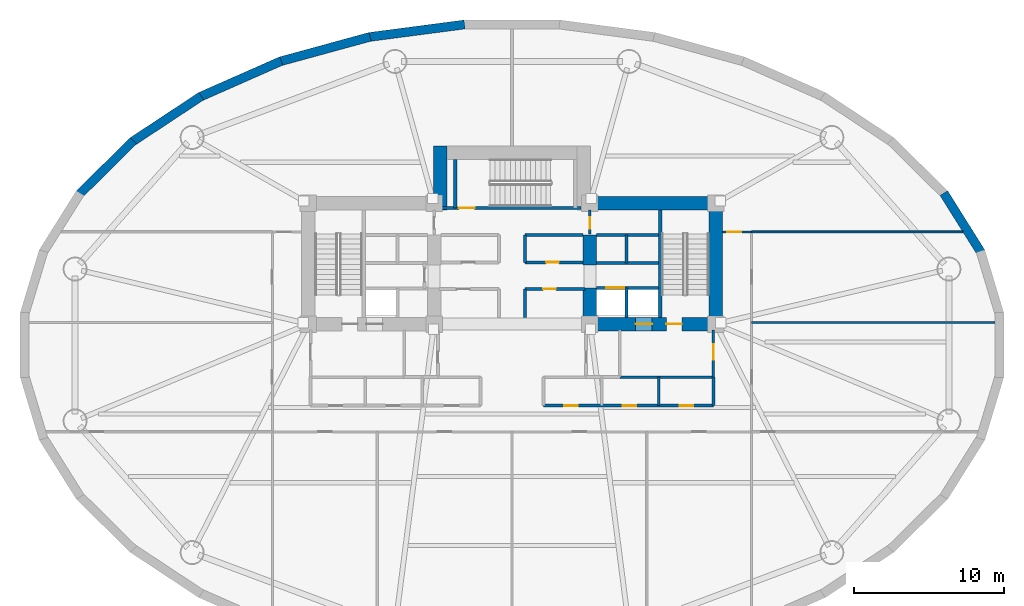
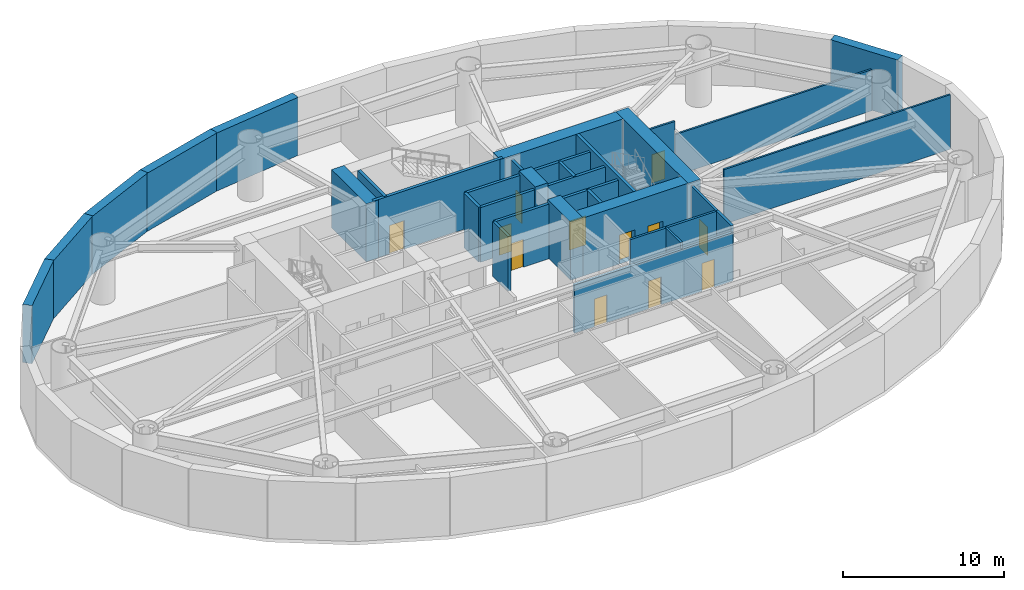
# One storey, part 4 of 6: 34 walls, 12 doors, 12 openings.
"""IFC4 building model written with IfcOpenShell, lengths in metres."""

from ifc_helpers import new_model, si_unit, direction, frame, frame_2d, origin, place, context, subcontext, project, spatial, rectangle, extrude, material, layer, layer_set, type_object, element, fill, save


model = new_model("IFC4")

# Units and contexts
model_context = context("Model", 3, precision=1e-05, world=origin(), true_north=direction((0.0, 1.0)))
body_context = subcontext(model_context, "Body", "Model", "MODEL_VIEW")
ifc_project = project(units=[si_unit("LENGTHUNIT", "METRE"), si_unit("AREAUNIT", "SQUARE_METRE"), si_unit("VOLUMEUNIT", "CUBIC_METRE"), si_unit("PLANEANGLEUNIT", "RADIAN"), si_unit("MASSUNIT", "GRAM", prefix="KILO")], contexts=[model_context])

# Site, building, storey
site_placement = place(None, origin())
site = spatial("IfcSite", under=ifc_project, at=site_placement, CompositionType="ELEMENT")
building_placement = place(site_placement, origin())
building = spatial("IfcBuilding", under=site, at=building_placement, Name="Keldmark Tower", CompositionType="ELEMENT")
storey_placement = place(building_placement, frame((0.0, 0.0, -4.39990234375)))
storey = spatial("IfcBuildingStorey", under=building, at=storey_placement, Name="B01", CompositionType="ELEMENT", Elevation=-4.39990234375)

# Wall, opening, door
ifc_material_1 = material(Name="Acoustic Double-Layer Gypsum Corridor Partition", Category="gypsum")
ifc_layer_1 = layer(ifc_material_1, 0.139892578125)
ifc_layer_set_1 = layer_set([ifc_layer_1], Name="Acoustic Double-Layer Gypsum Corridor Partition")
wall_type_1 = type_object("IfcWallType", Name="Acoustic Corridor Partition 140 mm", PredefinedType="PARTITIONING", material=ifc_layer_set_1)
wall_1_placement = place(storey_placement, frame((14.050048828125, 7.550048828125, 0.0), z_axis=(0.0, 0.0, 1.0), x_axis=(1.0, 0.0, 0.0)))
wall_1 = element("IfcWall", 1, at=wall_1_placement, inside=storey, type_object=wall_type_1, Name="B01 Acoustic Corridor Partition 140 mm COR-EN-CAP", PredefinedType="PARTITIONING", context=body_context, shape_type="SweptSolid", body=[
    extrude(rectangle(XDim=1.949951171875, YDim=0.139892578125, at=frame_2d((0.97509765625, 0.0))), origin(), (0.0, 0.0, 1.0), 4.139892578125),
])
opening_1_placement = place(wall_1_placement, frame((0.320068359375, 0.0, 0.0)))
opening_1 = element("IfcOpeningElement", 2, at=opening_1_placement, cuts=wall_1, Name="Opening D-EX092", PredefinedType="OPENING", context=body_context, shape_type="SweptSolid", body=[
    extrude(rectangle(XDim=0.919921875, YDim=2.14990234375, at=frame_2d((0.4599609375, 1.074951171875))), frame((0.0, 0.079833984375, 0.0), z_axis=(0.0, -1.0, 0.0), x_axis=(1.0, 0.0, 0.0)), (0.0, 0.0, 1.0), 0.159912109375),
])
ifc_material_2 = material(Name="Flush American Ash Executive Office Door", Category="wood")
door_type_1 = type_object("IfcDoorType", Name="Executive Office Door 920x2150", OperationType="NOTDEFINED", PredefinedType="DOOR", material=ifc_material_2)
door_1_placement = place(opening_1_placement, origin())
door_1 = element("IfcDoor", 3, at=door_1_placement, inside=storey, type_object=door_type_1, Name="B01 Executive Office Door 920x2150 D-NRNE-B01", OperationType="SINGLE_SWING_RIGHT", OverallHeight=2.14990234375, OverallWidth=0.919921875, PredefinedType="DOOR", context=body_context, shape_type="SweptSolid", body=[
    extrude(rectangle(XDim=0.919921875, YDim=2.14990234375, at=frame_2d((0.4599609375, 1.074951171875))), frame((0.0, 0.02490234375, 0.0), z_axis=(0.0, -1.0, 0.0), x_axis=(1.0, 0.0, 0.0)), (0.0, 0.0, 1.0), 0.050048828125),
])
fill(opening_1, door_1)

# Walls
ifc_material_3 = material(Name="Concrete C50/60", Category="concrete")
ifc_layer_2 = layer(ifc_material_3, 0.60009765625)
ifc_layer_set_2 = layer_set([ifc_layer_2], Name="Concrete C50/60")
wall_type_2 = type_object("IfcWallType", Name="Basement Retaining Wall 600 mm", PredefinedType="USERDEFINED", material=ifc_layer_set_2)
wall_2_placement = place(storey_placement, frame((31.3408203125, 6.143310546875, 0.0), z_axis=(0.0, 0.0, 1.0), x_axis=(-0.531244363113, 0.847218641592, 0.0)))
element("IfcWall", 4, at=wall_2_placement, inside=storey, type_object=wall_type_2, Name="B01 Perimeter Retaining Wall 02", ObjectType="RETAINING WALL", PredefinedType="USERDEFINED", context=body_context, shape_type="SweptSolid", body=[
    extrude(rectangle(XDim=4.72021484375, YDim=0.60009765625, at=frame_2d((2.360107421875, 0.0))), origin(), (0.0, 0.0, 1.0), 4.39990234375),
])
wall_3_placement = place(storey_placement, frame((-3.165771484375, 21.401611328125, 0.0), z_axis=(0.0, 0.0, 1.0), x_axis=(-0.991471782517, -0.130321542624, 0.0)))
element("IfcWall", 5, at=wall_3_placement, inside=storey, type_object=wall_type_2, Name="B01 Perimeter Retaining Wall 09", ObjectType="RETAINING WALL", PredefinedType="USERDEFINED", context=body_context, shape_type="SweptSolid", body=[
    extrude(rectangle(XDim=6.45947265625, YDim=0.60009765625, at=frame_2d((3.229736328125, 0.0))), origin(), (0.0, 0.0, 1.0), 4.39990234375),
])
wall_4_placement = place(storey_placement, frame((-9.47119140625, 20.579833984375, 0.0), z_axis=(0.0, 0.0, 1.0), x_axis=(-0.964548276597, -0.263906464707, 0.0)))
element("IfcWall", 6, at=wall_4_placement, inside=storey, type_object=wall_type_2, Name="B01 Perimeter Retaining Wall 10", ObjectType="RETAINING WALL", PredefinedType="USERDEFINED", context=body_context, shape_type="SweptSolid", body=[
    extrude(rectangle(XDim=6.256591796875, YDim=0.60009765625, at=frame_2d((3.12841796875, 0.0))), origin(), (0.0, 0.0, 1.0), 4.39990234375),
])
wall_5_placement = place(storey_placement, frame((-15.407470703125, 18.963623046875, 0.0), z_axis=(0.0, 0.0, 1.0), x_axis=(-0.91483072277, -0.403837527574, 0.0)))
element("IfcWall", 7, at=wall_5_placement, inside=storey, type_object=wall_type_2, Name="B01 Perimeter Retaining Wall 11", ObjectType="RETAINING WALL", PredefinedType="USERDEFINED", context=body_context, shape_type="SweptSolid", body=[
    extrude(rectangle(XDim=5.939697265625, YDim=0.60009765625, at=frame_2d((2.9697265625, 0.0))), origin(), (0.0, 0.0, 1.0), 4.39990234375),
])
wall_6_placement = place(storey_placement, frame((-20.74462890625, 16.617919921875, 0.0), z_axis=(0.0, 0.0, 1.0), x_axis=(-0.834367518908, -0.551208529861, 0.0)))
element("IfcWall", 8, at=wall_6_placement, inside=storey, type_object=wall_type_2, Name="B01 Perimeter Retaining Wall 12", ObjectType="RETAINING WALL", PredefinedType="USERDEFINED", context=body_context, shape_type="SweptSolid", body=[
    extrude(rectangle(XDim=5.542236328125, YDim=0.60009765625, at=frame_2d((2.77099609375, 0.0))), origin(), (0.0, 0.0, 1.0), 4.39990234375),
])
wall_7_placement = place(storey_placement, frame((-25.277099609375, 13.6376953125, 0.0), z_axis=(0.0, 0.0, 1.0), x_axis=(-0.711105403666, -0.70308541791, 0.0)))
element("IfcWall", 9, at=wall_7_placement, inside=storey, type_object=wall_type_2, Name="B01 Perimeter Retaining Wall 13", ObjectType="RETAINING WALL", PredefinedType="USERDEFINED", context=body_context, shape_type="SweptSolid", body=[
    extrude(rectangle(XDim=5.1142578125, YDim=0.60009765625, at=frame_2d((2.55712890625, 0.0))), origin(), (0.0, 0.0, 1.0), 4.39990234375),
])

# Wall, openings, doors
ifc_material_4 = material(Name="Heavy Acoustic Plumbing Chase Gypsum Assembly", Category="gypsum")
ifc_layer_3 = layer(ifc_material_4, 0.18994140625)
ifc_layer_set_3 = layer_set([ifc_layer_3], Name="Heavy Acoustic Plumbing Chase Gypsum Assembly")
wall_type_3 = type_object("IfcWallType", Name="Heavy Wet Wall 190 mm", PredefinedType="PLUMBINGWALL", material=ifc_layer_set_3)
wall_8_placement = place(storey_placement, frame((2.10009765625, -4.050048828125, 0.0), z_axis=(0.0, 0.0, 1.0), x_axis=(1.0, 0.0, 0.0)))
wall_8 = element("IfcWall", 10, at=wall_8_placement, inside=storey, type_object=wall_type_3, Name="B01 Heavy Wet Wall 190 mm SPK-E-S", PredefinedType="PLUMBINGWALL", context=body_context, shape_type="SweptSolid", body=[
    extrude(rectangle(XDim=11.349853515625, YDim=0.18994140625, at=frame_2d((5.6748046875, 0.0))), origin(), (0.0, 0.0, 1.0), 3.6669921875),
])
opening_2_placement = place(wall_8_placement, frame((1.39990234375, 0.0, 0.0)))
opening_2 = element("IfcOpeningElement", 11, at=opening_2_placement, cuts=wall_8, Name="Opening D-IN090", PredefinedType="OPENING", context=body_context, shape_type="SweptSolid", body=[
    extrude(rectangle(XDim=0.89990234375, YDim=2.10009765625, at=frame_2d((0.449951171875, 1.050048828125))), frame((0.0, 0.10498046875, 0.0), z_axis=(0.0, -1.0, 0.0), x_axis=(1.0, 0.0, 0.0)), (0.0, 0.0, 1.0), 0.2099609375),
])
opening_3_placement = place(wall_8_placement, frame((5.300048828125, 0.0, 0.0)))
opening_3 = element("IfcOpeningElement", 12, at=opening_3_placement, cuts=wall_8, Name="Opening D-IN090", PredefinedType="OPENING", context=body_context, shape_type="SweptSolid", body=[
    extrude(rectangle(XDim=0.89990234375, YDim=2.10009765625, at=frame_2d((0.449951171875, 1.050048828125))), frame((0.0, 0.10498046875, 0.0), z_axis=(0.0, -1.0, 0.0), x_axis=(1.0, 0.0, 0.0)), (0.0, 0.0, 1.0), 0.2099609375),
])
opening_4_placement = place(wall_8_placement, frame((9.10009765625, 0.0, 0.0)))
opening_4 = element("IfcOpeningElement", 13, at=opening_4_placement, cuts=wall_8, Name="Opening D-IN090", PredefinedType="OPENING", context=body_context, shape_type="SweptSolid", body=[
    extrude(rectangle(XDim=0.89990234375, YDim=2.10009765625, at=frame_2d((0.449951171875, 1.050048828125))), frame((0.0, 0.10498046875, 0.0), z_axis=(0.0, -1.0, 0.0), x_axis=(1.0, 0.0, 0.0)), (0.0, 0.0, 1.0), 0.2099609375),
])
ifc_material_5 = material(Name="Stained American White Oak Veneer", Category="wood")
door_type_2 = type_object("IfcDoorType", Name="Interior Door 900x2100", OperationType="NOTDEFINED", PredefinedType="DOOR", material=ifc_material_5)
door_2_placement = place(opening_2_placement, origin())
door_2 = element("IfcDoor", 14, at=door_2_placement, inside=storey, type_object=door_type_2, Name="B01 Interior Door 900x2100 D-SPKE1-B01", OperationType="SINGLE_SWING_RIGHT", OverallHeight=2.10009765625, OverallWidth=0.89990234375, PredefinedType="DOOR", context=body_context, shape_type="SweptSolid", body=[
    extrude(rectangle(XDim=0.89990234375, YDim=2.10009765625, at=frame_2d((0.449951171875, 1.050048828125))), frame((0.0, 0.02490234375, 0.0), z_axis=(0.0, -1.0, 0.0), x_axis=(1.0, 0.0, 0.0)), (0.0, 0.0, 1.0), 0.050048828125),
])
fill(opening_2, door_2)
door_3_placement = place(opening_3_placement, origin())
door_3 = element("IfcDoor", 15, at=door_3_placement, inside=storey, type_object=door_type_2, Name="B01 Interior Door 900x2100 D-SPKE2-B01", OperationType="SINGLE_SWING_LEFT", OverallHeight=2.10009765625, OverallWidth=0.89990234375, PredefinedType="DOOR", context=body_context, shape_type="SweptSolid", body=[
    extrude(rectangle(XDim=0.89990234375, YDim=2.10009765625, at=frame_2d((0.449951171875, 1.050048828125))), frame((0.0, 0.02490234375, 0.0), z_axis=(0.0, -1.0, 0.0), x_axis=(1.0, 0.0, 0.0)), (0.0, 0.0, 1.0), 0.050048828125),
])
fill(opening_3, door_3)
door_4_placement = place(opening_4_placement, origin())
door_4 = element("IfcDoor", 16, at=door_4_placement, inside=storey, type_object=door_type_2, Name="B01 Interior Door 900x2100 D-SPKE3-B01", OperationType="SINGLE_SWING_RIGHT", OverallHeight=2.10009765625, OverallWidth=0.89990234375, PredefinedType="DOOR", context=body_context, shape_type="SweptSolid", body=[
    extrude(rectangle(XDim=0.89990234375, YDim=2.10009765625, at=frame_2d((0.449951171875, 1.050048828125))), frame((0.0, 0.02490234375, 0.0), z_axis=(0.0, -1.0, 0.0), x_axis=(1.0, 0.0, 0.0)), (0.0, 0.0, 1.0), 0.050048828125),
])
fill(opening_4, door_4)

# Walls
wall_9_placement = place(storey_placement, frame((13.449951171875, -4.050048828125, 0.0), z_axis=(0.0, 0.0, 1.0), x_axis=(0.0, 1.0, 0.0)))
element("IfcWall", 17, at=wall_9_placement, inside=storey, type_object=wall_type_3, Name="B01 Heavy Wet Wall 190 mm SPK-E-E", PredefinedType="PLUMBINGWALL", context=body_context, shape_type="SweptSolid", body=[
    extrude(rectangle(XDim=1.900146484375, YDim=0.18994140625, at=frame_2d((0.9501953125, 0.0))), origin(), (0.0, 0.0, 1.0), 4.139892578125),
])
ifc_material_6 = material(Name="Acoustic Gypsum Board Interior Partition", Category="gypsum")
ifc_layer_4 = layer(ifc_material_6, 0.1298828125)
ifc_layer_set_4 = layer_set([ifc_layer_4], Name="Acoustic Gypsum Board Interior Partition")
wall_type_4 = type_object("IfcWallType", Name="Interior Partition 130 mm", PredefinedType="PARTITIONING", material=ifc_layer_set_4)
wall_10_placement = place(storey_placement, frame((16.0, 7.550048828125, 0.0), z_axis=(0.0, 0.0, 1.0), x_axis=(1.0, 0.0, 0.0)))
element("IfcWall", 18, at=wall_10_placement, inside=storey, type_object=wall_type_4, Name="B01 Interior Partition 130 mm E-CAP-N", PredefinedType="PARTITIONING", context=body_context, shape_type="SweptSolid", body=[
    extrude(rectangle(XDim=14.09521484375, YDim=0.1298828125, at=frame_2d((7.047607421875, 0.0))), origin(), (0.0, 0.0, 1.0), 3.117919921875),
])
wall_11_placement = place(storey_placement, frame((16.0, 1.5, 0.0), z_axis=(0.0, 0.0, 1.0), x_axis=(1.0, 0.0, 0.0)))
element("IfcWall", 19, at=wall_11_placement, inside=storey, type_object=wall_type_4, Name="B01 Interior Partition 130 mm E-DIV-1", PredefinedType="PARTITIONING", context=body_context, shape_type="SweptSolid", body=[
    extrude(rectangle(XDim=16.233154296875, YDim=0.1298828125, at=frame_2d((8.11669921875, 0.0))), origin(), (0.0, 0.0, 1.0), 4.139892578125),
])
ifc_material_7 = material(Name="Concrete C70/85", Category="concrete")
ifc_layer_5 = layer(ifc_material_7, 0.89990234375)
ifc_layer_set_5 = layer_set([ifc_layer_5], Name="Concrete C70/85")
wall_type_5 = type_object("IfcWallType", Name="Lower Core Shear Wall 900 mm", PredefinedType="SHEAR", material=ifc_layer_set_5)
wall_12_placement = place(storey_placement, frame((13.60009765625, 0.949951171875, 0.0), z_axis=(0.0, 0.0, 1.0), x_axis=(0.0, 1.0, 0.0)))
element("IfcWall", 20, at=wall_12_placement, inside=storey, type_object=wall_type_5, Name="B01 East Core Outer Shear Wall", PredefinedType="SHEAR", context=body_context, shape_type="SweptSolid", body=[
    extrude(rectangle(XDim=8.949951171875, YDim=0.89990234375, at=frame_2d((4.47509765625, 0.0))), origin(), (0.0, 0.0, 1.0), 4.39990234375),
])
wall_13_placement = place(storey_placement, frame((4.35009765625, 9.449951171875, 0.0), z_axis=(0.0, 0.0, 1.0), x_axis=(1.0, 0.0, 0.0)))
element("IfcWall", 21, at=wall_13_placement, inside=storey, type_object=wall_type_5, Name="B01 East Core North Shear Wall", PredefinedType="SHEAR", context=body_context, shape_type="SweptSolid", body=[
    extrude(rectangle(XDim=9.699951171875, YDim=0.89990234375, at=frame_2d((4.85009765625, 0.0))), origin(), (0.0, 0.0, 1.0), 4.39990234375),
])

# Wall, openings, doors
wall_14_placement = place(storey_placement, frame((14.050048828125, 1.39990234375, 0.0), z_axis=(0.0, 0.0, 1.0), x_axis=(-1.0, 0.0, 0.0)))
wall_14 = element("IfcWall", 22, at=wall_14_placement, inside=storey, type_object=wall_type_5, Name="B01 East Core South Shear Wall", PredefinedType="SHEAR", context=body_context, shape_type="SweptSolid", body=[
    extrude(rectangle(XDim=9.300048828125, YDim=0.89990234375, at=frame_2d((4.64990234375, 0.0))), origin(), (0.0, 0.0, 1.0), 4.39990234375),
])
opening_5_placement = place(wall_14_placement, frame((2.699951171875, 0.0, 0.0)))
opening_5 = element("IfcOpeningElement", 23, at=opening_5_placement, cuts=wall_14, Name="Opening D-ST105", PredefinedType="OPENING", context=body_context, shape_type="SweptSolid", body=[
    extrude(rectangle(XDim=1.050048828125, YDim=2.14990234375, at=frame_2d((0.52490234375, 1.074951171875))), frame((0.0, 0.4599609375, 0.0), z_axis=(0.0, -1.0, 0.0), x_axis=(1.0, 0.0, 0.0)), (0.0, 0.0, 1.0), 0.919921875),
])
opening_6_placement = place(wall_14_placement, frame((4.699951171875, 0.0, 0.0)))
opening_6 = element("IfcOpeningElement", 24, at=opening_6_placement, cuts=wall_14, Name="Opening LD-110", PredefinedType="OPENING", context=body_context, shape_type="SweptSolid", body=[
    extrude(rectangle(XDim=1.10009765625, YDim=2.199951171875, at=frame_2d((0.550048828125, 1.10009765625))), frame((0.0, 0.4599609375, 0.0), z_axis=(0.0, -1.0, 0.0), x_axis=(1.0, 0.0, 0.0)), (0.0, 0.0, 1.0), 0.919921875),
])
ifc_material_8 = material(Name="Brushed Bronze Hoistway Sliding Leaf", Category="metal")
door_type_3 = type_object("IfcDoorType", Name="Lift Landing Sliding Door 1100x2200", OperationType="SLIDING_TO_LEFT", PredefinedType="DOOR", material=ifc_material_8)
door_5_placement = place(opening_6_placement, origin())
door_5 = element("IfcDoor", 25, at=door_5_placement, inside=storey, type_object=door_type_3, Name="B01 Lift Landing Sliding Door 1100x2200 LD-EL-FS2-B01", OperationType="SLIDING_TO_LEFT", OverallHeight=2.199951171875, OverallWidth=1.10009765625, PredefinedType="DOOR", context=body_context, shape_type="SweptSolid", body=[
    extrude(rectangle(XDim=1.10009765625, YDim=2.199951171875, at=frame_2d((0.550048828125, 1.10009765625))), frame((0.0, 0.02490234375, 0.0), z_axis=(0.0, -1.0, 0.0), x_axis=(1.0, 0.0, 0.0)), (0.0, 0.0, 1.0), 0.050048828125),
])
fill(opening_6, door_5)
ifc_material_9 = material(Name="Hollow Metal Fire-Rated Door Assembly", Category="metal")
door_type_4 = type_object("IfcDoorType", Name="Stair Fire Door 1050x2150", OperationType="NOTDEFINED", PredefinedType="DOOR", material=ifc_material_9)
door_6_placement = place(opening_5_placement, origin())
door_6 = element("IfcDoor", 26, at=door_6_placement, inside=storey, type_object=door_type_4, Name="B01 Stair Fire Door 1050x2150 D-ST2-B01", OperationType="SINGLE_SWING_LEFT", OverallHeight=2.14990234375, OverallWidth=1.050048828125, PredefinedType="DOOR", context=body_context, shape_type="SweptSolid", body=[
    extrude(rectangle(XDim=1.050048828125, YDim=2.14990234375, at=frame_2d((0.52490234375, 1.074951171875))), frame((0.0, 0.02490234375, 0.0), z_axis=(0.0, -1.0, 0.0), x_axis=(1.0, 0.0, 0.0)), (0.0, 0.0, 1.0), 0.050048828125),
])
fill(opening_5, door_6)

# Walls
wall_15_placement = place(storey_placement, frame((5.199951171875, 0.949951171875, 0.0), z_axis=(0.0, 0.0, 1.0), x_axis=(0.0, 1.0, 0.0)))
element("IfcWall", 27, at=wall_15_placement, inside=storey, type_object=wall_type_5, Name="B01 East Core Inner Shear Pier South", PredefinedType="SHEAR", context=body_context, shape_type="SweptSolid", body=[
    extrude(rectangle(XDim=2.85009765625, YDim=0.89990234375, at=frame_2d((1.425048828125, 0.0))), origin(), (0.0, 0.0, 1.0), 4.39990234375),
])
wall_16_placement = place(storey_placement, frame((5.199951171875, 5.35009765625, 0.0), z_axis=(0.0, 0.0, 1.0), x_axis=(0.0, 1.0, 0.0)))
element("IfcWall", 28, at=wall_16_placement, inside=storey, type_object=wall_type_5, Name="B01 East Core Inner Shear Pier North", PredefinedType="SHEAR", context=body_context, shape_type="SweptSolid", body=[
    extrude(rectangle(XDim=2.0, YDim=0.89990234375, at=frame_2d((1.0, 0.0))), origin(), (0.0, 0.0, 1.0), 4.39990234375),
])
wall_17_placement = place(storey_placement, frame((-4.800048828125, 9.0, 0.0), z_axis=(0.0, 0.0, 1.0), x_axis=(0.0, 1.0, 0.0)))
element("IfcWall", 29, at=wall_17_placement, inside=storey, type_object=wall_type_5, Name="B01 North Core West Shear Wall", PredefinedType="SHEAR", context=body_context, shape_type="SweptSolid", body=[
    extrude(rectangle(XDim=4.300048828125, YDim=0.89990234375, at=frame_2d((2.14990234375, 0.0))), origin(), (0.0, 0.0, 1.0), 4.39990234375),
])
ifc_material_10 = material(Name="Type X Fire-Rated Gypsum Partition Assembly", Category="gypsum")
ifc_layer_6 = layer(ifc_material_10, 0.1650390625)
ifc_layer_set_6 = layer_set([ifc_layer_6], Name="Type X Fire-Rated Gypsum Partition Assembly")
wall_type_6 = type_object("IfcWallType", Name="Rated Partition 165 mm", PredefinedType="PARTITIONING", material=ifc_layer_set_6)
wall_18_placement = place(storey_placement, frame((7.199951171875, -2.14990234375, 0.0), z_axis=(0.0, 0.0, 1.0), x_axis=(1.0, 0.0, 0.0)))
element("IfcWall", 30, at=wall_18_placement, inside=storey, type_object=wall_type_6, Name="B01 Rated Partition 165 mm FSAE-E-S", PredefinedType="PARTITIONING", context=body_context, shape_type="SweptSolid", body=[
    extrude(rectangle(XDim=6.25, YDim=0.1650390625, at=frame_2d((3.125, 0.0))), origin(), (0.0, 0.0, 1.0), 4.139892578125),
])

# Wall, opening, door
wall_19_placement = place(storey_placement, frame((13.449951171875, -2.14990234375, 0.0), z_axis=(0.0, 0.0, 1.0), x_axis=(0.0, 1.0, 0.0)))
wall_19 = element("IfcWall", 31, at=wall_19_placement, inside=storey, type_object=wall_type_6, Name="B01 Rated Partition 165 mm FSAE-E-E", PredefinedType="PARTITIONING", context=body_context, shape_type="SweptSolid", body=[
    extrude(rectangle(XDim=3.14990234375, YDim=0.1650390625, at=frame_2d((1.574951171875, 0.0))), origin(), (0.0, 0.0, 1.0), 4.139892578125),
])
opening_7_placement = place(wall_19_placement, frame((1.14990234375, 0.0, 0.0)))
opening_7 = element("IfcOpeningElement", 32, at=opening_7_placement, cuts=wall_19, Name="Opening D-FL105", PredefinedType="OPENING", context=body_context, shape_type="SweptSolid", body=[
    extrude(rectangle(XDim=1.050048828125, YDim=2.14990234375, at=frame_2d((0.52490234375, 1.074951171875))), frame((0.0, 0.092529296875, 0.0), z_axis=(0.0, -1.0, 0.0), x_axis=(1.0, 0.0, 0.0)), (0.0, 0.0, 1.0), 0.18505859375),
])
ifc_material_11 = material(Name="Fire-Rated Mineral-Core Door and Vision Lite", Category="metal")
door_type_5 = type_object("IfcDoorType", Name="Fire Lobby Door 1050x2150", OperationType="NOTDEFINED", PredefinedType="DOOR", material=ifc_material_11)
door_7_placement = place(opening_7_placement, origin())
door_7 = element("IfcDoor", 33, at=door_7_placement, inside=storey, type_object=door_type_5, Name="B01 Fire Lobby Door 1050x2150 D-FSAEE-OUT-B01", OperationType="SINGLE_SWING_LEFT", OverallHeight=2.14990234375, OverallWidth=1.050048828125, PredefinedType="DOOR", context=body_context, shape_type="SweptSolid", body=[
    extrude(rectangle(XDim=1.050048828125, YDim=2.14990234375, at=frame_2d((0.52490234375, 1.074951171875))), frame((0.0, 0.02490234375, 0.0), z_axis=(0.0, -1.0, 0.0), x_axis=(1.0, 0.0, 0.0)), (0.0, 0.0, 1.0), 0.050048828125),
])
fill(opening_7, door_7)

wall_20_placement = place(storey_placement, frame((5.199951171875, 7.419921875, 0.0), z_axis=(0.0, 0.0, 1.0), x_axis=(0.0, 1.0, 0.0)))
wall_20 = element("IfcWall", 34, at=wall_20_placement, inside=storey, type_object=wall_type_6, Name="B01 Rated Partition 165 mm CS-NE-W", PredefinedType="PARTITIONING", context=body_context, shape_type="SweptSolid", body=[
    extrude(rectangle(XDim=1.580078125, YDim=0.1650390625, at=frame_2d((0.7900390625, 0.0))), origin(), (0.0, 0.0, 1.0), 4.139892578125),
])
opening_8_placement = place(wall_20_placement, frame((0.35009765625, 0.0, 0.0)))
opening_8 = element("IfcOpeningElement", 35, at=opening_8_placement, cuts=wall_20, Name="Opening D-RS075", PredefinedType="OPENING", context=body_context, shape_type="SweptSolid", body=[
    extrude(rectangle(XDim=0.75, YDim=2.10009765625, at=frame_2d((0.375, 1.050048828125))), frame((0.0, 0.092529296875, 0.0), z_axis=(0.0, -1.0, 0.0), x_axis=(1.0, 0.0, 0.0)), (0.0, 0.0, 1.0), 0.18505859375),
])
ifc_material_12 = material(Name="Galvanized Fire-Rated Access Leaf", Category="metal")
door_type_6 = type_object("IfcDoorType", Name="Riser Access Door 750x2100", OperationType="NOTDEFINED", PredefinedType="DOOR", material=ifc_material_12)
door_8_placement = place(opening_8_placement, origin())
door_8 = element("IfcDoor", 36, at=door_8_placement, inside=storey, type_object=door_type_6, Name="B01 Riser Access Door 750x2100 D-CSNE1-B01", OperationType="SINGLE_SWING_LEFT", OverallHeight=2.10009765625, OverallWidth=0.75, PredefinedType="DOOR", context=body_context, shape_type="SweptSolid", body=[
    extrude(rectangle(XDim=0.75, YDim=2.10009765625, at=frame_2d((0.375, 1.050048828125))), frame((0.0, 0.02490234375, 0.0), z_axis=(0.0, -1.0, 0.0), x_axis=(1.0, 0.0, 0.0)), (0.0, 0.0, 1.0), 0.050048828125),
])
fill(opening_8, door_8)

ifc_material_13 = material(Name="Fire-Resistant Type X Gypsum Shaftliner Coreboard", Category="gypsum")
ifc_layer_7 = layer(ifc_material_13, 0.199951171875)
ifc_layer_set_7 = layer_set([ifc_layer_7], Name="Fire-Resistant Type X Gypsum Shaftliner Coreboard")
wall_type_7 = type_object("IfcWallType", Name="Shaft Wall 200 mm", PredefinedType="SOLIDWALL", material=ifc_layer_set_7)
wall_21_placement = place(storey_placement, frame((5.64990234375, 3.820068359375, 0.0), z_axis=(0.0, 0.0, 1.0), x_axis=(1.0, 0.0, 0.0)))
wall_21 = element("IfcWall", 37, at=wall_21_placement, inside=storey, type_object=wall_type_7, Name="B01 Shaft Wall 200 mm HW-E-S", PredefinedType="SOLIDWALL", context=body_context, shape_type="SweptSolid", body=[
    extrude(rectangle(XDim=4.130126953125, YDim=0.199951171875, at=frame_2d((2.06494140625, 0.0))), origin(), (0.0, 0.0, 1.0), 4.139892578125),
])
opening_9_placement = place(wall_21_placement, frame((0.64990234375, 0.0, 0.0)))
opening_9 = element("IfcOpeningElement", 38, at=opening_9_placement, cuts=wall_21, Name="Opening LD-120", PredefinedType="OPENING", context=body_context, shape_type="SweptSolid", body=[
    extrude(rectangle(XDim=1.199951171875, YDim=2.199951171875, at=frame_2d((0.60009765625, 1.10009765625))), frame((0.0, 0.10986328125, 0.0), z_axis=(0.0, -1.0, 0.0), x_axis=(1.0, 0.0, 0.0)), (0.0, 0.0, 1.0), 0.219970703125),
])
ifc_material_14 = material(Name="Heavy-Duty Brushed Metal Hoistway Sliding Leaf", Category="metal")
door_type_7 = type_object("IfcDoorType", Name="Service Lift Sliding Door 1200x2200", OperationType="SLIDING_TO_RIGHT", PredefinedType="DOOR", material=ifc_material_14)
door_9_placement = place(opening_9_placement, origin())
door_9 = element("IfcDoor", 39, at=door_9_placement, inside=storey, type_object=door_type_7, Name="B01 Service Lift Sliding Door 1200x2200 LD-EL-SV1-B01", OperationType="SLIDING_TO_RIGHT", OverallHeight=2.199951171875, OverallWidth=1.199951171875, PredefinedType="DOOR", context=body_context, shape_type="SweptSolid", body=[
    extrude(rectangle(XDim=1.199951171875, YDim=2.199951171875, at=frame_2d((0.60009765625, 1.10009765625))), frame((0.0, 0.02490234375, 0.0), z_axis=(0.0, -1.0, 0.0), x_axis=(1.0, 0.0, 0.0)), (0.0, 0.0, 1.0), 0.050048828125),
])
fill(opening_9, door_9)

# Walls
wall_22_placement = place(storey_placement, frame((7.64990234375, 1.85009765625, 0.0), z_axis=(0.0, 0.0, 1.0), x_axis=(0.0, 1.0, 0.0)))
element("IfcWall", 40, at=wall_22_placement, inside=storey, type_object=wall_type_7, Name="B01 Shaft Wall 200 mm HW-E-M", PredefinedType="SOLIDWALL", context=body_context, shape_type="SweptSolid", body=[
    extrude(rectangle(XDim=1.969970703125, YDim=0.199951171875, at=frame_2d((0.98486328125, 0.0))), origin(), (0.0, 0.0, 1.0), 4.139892578125),
])
for number, where, z_axis, x_axis, name in (
    (41, (5.64990234375, 5.469970703125, 0.0), (0.0, 0.0, 1.0), (1.0, 0.0, 0.0), "B01 Shaft Wall 200 mm HW-E-N"),
    (42, (5.64990234375, 7.330078125, 0.0), (0.0, 0.0, 1.0), (1.0, 0.0, 0.0), "B01 Shaft Wall 200 mm HW-E-TOP"),
):
    element("IfcWall", number, at=place(storey_placement, frame(where, z_axis=z_axis, x_axis=x_axis)), inside=storey, type_object=wall_type_7, Name=name, PredefinedType="SOLIDWALL", context=body_context, shape_type="SweptSolid", body=[
        extrude(rectangle(XDim=4.130126953125, YDim=0.199951171875, at=frame_2d((2.06494140625, 0.0))), origin(), (0.0, 0.0, 1.0), 4.139892578125),
    ])
wall_23_placement = place(storey_placement, frame((7.64990234375, 5.469970703125, 0.0), z_axis=(0.0, 0.0, 1.0), x_axis=(0.0, 1.0, 0.0)))
element("IfcWall", 43, at=wall_23_placement, inside=storey, type_object=wall_type_7, Name="B01 Shaft Wall 200 mm HW-E-NM", PredefinedType="SOLIDWALL", context=body_context, shape_type="SweptSolid", body=[
    extrude(rectangle(XDim=1.860107421875, YDim=0.199951171875, at=frame_2d((0.93017578125, 0.0))), origin(), (0.0, 0.0, 1.0), 4.139892578125),
])

# Wall, opening, door
wall_24_placement = place(storey_placement, frame((0.8798828125, 3.739990234375, 0.0), z_axis=(0.0, 0.0, 1.0), x_axis=(1.0, 0.0, 0.0)))
wall_24 = element("IfcWall", 44, at=wall_24_placement, inside=storey, type_object=wall_type_7, Name="B01 Shaft Wall 200 mm LOW-B-E", PredefinedType="SOLIDWALL", context=body_context, shape_type="SweptSolid", body=[
    extrude(rectangle(XDim=4.0, YDim=0.199951171875, at=frame_2d((2.0, 0.0))), origin(), (0.0, 0.0, 1.0), 4.139892578125),
])
opening_10_placement = place(wall_24_placement, frame((1.199951171875, 0.0, 0.0)))
opening_10 = element("IfcOpeningElement", 45, at=opening_10_placement, cuts=wall_24, Name="Opening D-SV085", PredefinedType="OPENING", context=body_context, shape_type="SweptSolid", body=[
    extrude(rectangle(XDim=0.85009765625, YDim=2.10009765625, at=frame_2d((0.425048828125, 1.050048828125))), frame((0.0, 0.10986328125, 0.0), z_axis=(0.0, -1.0, 0.0), x_axis=(1.0, 0.0, 0.0)), (0.0, 0.0, 1.0), 0.219970703125),
])
ifc_material_15 = material(Name="Painted Hollow Metal Door Assembly", Category="metal")
door_type_8 = type_object("IfcDoorType", Name="Service Door 850x2100", OperationType="NOTDEFINED", PredefinedType="DOOR", material=ifc_material_15)
door_10_placement = place(opening_10_placement, origin())
door_10 = element("IfcDoor", 46, at=door_10_placement, inside=storey, type_object=door_type_8, Name="B01 Service Door 850x2100 D-PITLE-B01", OperationType="SINGLE_SWING_RIGHT", OverallHeight=2.10009765625, OverallWidth=0.85009765625, PredefinedType="DOOR", context=body_context, shape_type="SweptSolid", body=[
    extrude(rectangle(XDim=0.85009765625, YDim=2.10009765625, at=frame_2d((0.425048828125, 1.050048828125))), frame((0.0, 0.02490234375, 0.0), z_axis=(0.0, -1.0, 0.0), x_axis=(1.0, 0.0, 0.0)), (0.0, 0.0, 1.0), 0.050048828125),
])
fill(opening_10, door_10)

# Wall
wall_25_placement = place(storey_placement, frame((0.8798828125, 1.85009765625, 0.0), z_axis=(0.0, 0.0, 1.0), x_axis=(0.0, 1.0, 0.0)))
element("IfcWall", 47, at=wall_25_placement, inside=storey, type_object=wall_type_7, Name="B01 Shaft Wall 200 mm LOW-B-CE", PredefinedType="SOLIDWALL", context=body_context, shape_type="SweptSolid", body=[
    extrude(rectangle(XDim=1.889892578125, YDim=0.199951171875, at=frame_2d((0.94482421875, 0.0))), origin(), (0.0, 0.0, 1.0), 4.139892578125),
])

# Wall, opening, door
wall_26_placement = place(storey_placement, frame((0.8798828125, 5.52001953125, 0.0), z_axis=(0.0, 0.0, 1.0), x_axis=(1.0, 0.0, 0.0)))
wall_26 = element("IfcWall", 48, at=wall_26_placement, inside=storey, type_object=wall_type_7, Name="B01 Shaft Wall 200 mm MID-B-SE", PredefinedType="SOLIDWALL", context=body_context, shape_type="SweptSolid", body=[
    extrude(rectangle(XDim=3.860107421875, YDim=0.199951171875, at=frame_2d((1.93017578125, 0.0))), origin(), (0.0, 0.0, 1.0), 4.139892578125),
])
opening_11_placement = place(wall_26_placement, frame((1.39990234375, 0.0, 0.0)))
opening_11 = element("IfcOpeningElement", 49, at=opening_11_placement, cuts=wall_26, Name="Opening D-SV085", PredefinedType="OPENING", context=body_context, shape_type="SweptSolid", body=[
    extrude(rectangle(XDim=0.85009765625, YDim=2.10009765625, at=frame_2d((0.425048828125, 1.050048828125))), frame((0.0, 0.10986328125, 0.0), z_axis=(0.0, -1.0, 0.0), x_axis=(1.0, 0.0, 0.0)), (0.0, 0.0, 1.0), 0.219970703125),
])
door_11_placement = place(opening_11_placement, origin())
door_11 = element("IfcDoor", 50, at=door_11_placement, inside=storey, type_object=door_type_8, Name="B01 Service Door 850x2100 D-PITME-B01", OperationType="SINGLE_SWING_RIGHT", OverallHeight=2.10009765625, OverallWidth=0.85009765625, PredefinedType="DOOR", context=body_context, shape_type="SweptSolid", body=[
    extrude(rectangle(XDim=0.85009765625, YDim=2.10009765625, at=frame_2d((0.425048828125, 1.050048828125))), frame((0.0, 0.02490234375, 0.0), z_axis=(0.0, -1.0, 0.0), x_axis=(1.0, 0.0, 0.0)), (0.0, 0.0, 1.0), 0.050048828125),
])
fill(opening_11, door_11)

# Walls
wall_27_placement = place(storey_placement, frame((0.8798828125, 7.330078125, 0.0), z_axis=(0.0, 0.0, 1.0), x_axis=(1.0, 0.0, 0.0)))
element("IfcWall", 51, at=wall_27_placement, inside=storey, type_object=wall_type_7, Name="B01 Shaft Wall 200 mm MID-B-NE", PredefinedType="SOLIDWALL", context=body_context, shape_type="SweptSolid", body=[
    extrude(rectangle(XDim=3.860107421875, YDim=0.199951171875, at=frame_2d((1.93017578125, 0.0))), origin(), (0.0, 0.0, 1.0), 4.139892578125),
])
wall_28_placement = place(storey_placement, frame((0.8798828125, 5.52001953125, 0.0), z_axis=(0.0, 0.0, 1.0), x_axis=(0.0, 1.0, 0.0)))
element("IfcWall", 52, at=wall_28_placement, inside=storey, type_object=wall_type_7, Name="B01 Shaft Wall 200 mm MID-B-CE", PredefinedType="SOLIDWALL", context=body_context, shape_type="SweptSolid", body=[
    extrude(rectangle(XDim=1.81005859375, YDim=0.199951171875, at=frame_2d((0.905029296875, 0.0))), origin(), (0.0, 0.0, 1.0), 4.139892578125),
])
ifc_material_16 = material(Name="Concrete C50/60", Category="concrete")
ifc_layer_8 = layer(ifc_material_16, 0.219970703125)
ifc_layer_set_8 = layer_set([ifc_layer_8], Name="Concrete C50/60")
wall_type_8 = type_object("IfcWallType", Name="Stair Core Shear Wall 220 mm", PredefinedType="SHEAR", material=ifc_layer_set_8)
wall_29_placement = place(storey_placement, frame((9.889892578125, 1.85009765625, 0.0), z_axis=(0.0, 0.0, 1.0), x_axis=(0.0, 1.0, 0.0)))
element("IfcWall", 53, at=wall_29_placement, inside=storey, type_object=wall_type_8, Name="B01 East Stair Core Shear Wall", PredefinedType="SHEAR", context=body_context, shape_type="SweptSolid", body=[
    extrude(rectangle(XDim=7.14990234375, YDim=0.219970703125, at=frame_2d((3.574951171875, 0.0))), origin(), (0.0, 0.0, 1.0), 4.39990234375),
])

# Wall, opening, door
wall_30_placement = place(storey_placement, frame((-4.699951171875, 9.139892578125, 0.0), z_axis=(0.0, 0.0, 1.0), x_axis=(1.0, 0.0, 0.0)))
wall_30 = element("IfcWall", 54, at=wall_30_placement, inside=storey, type_object=wall_type_8, Name="B01 Central Stair Core South Shear Wall", PredefinedType="SHEAR", context=body_context, shape_type="SweptSolid", body=[
    extrude(rectangle(XDim=9.300048828125, YDim=0.219970703125, at=frame_2d((4.64990234375, 0.0))), origin(), (0.0, 0.0, 1.0), 4.39990234375),
])
opening_12_placement = place(wall_30_placement, frame((1.14990234375, 0.0, 0.0)))
opening_12 = element("IfcOpeningElement", 55, at=opening_12_placement, cuts=wall_30, Name="Opening D-ST105", PredefinedType="OPENING", context=body_context, shape_type="SweptSolid", body=[
    extrude(rectangle(XDim=1.050048828125, YDim=2.14990234375, at=frame_2d((0.52490234375, 1.074951171875))), frame((0.0, 0.119873046875, 0.0), z_axis=(0.0, -1.0, 0.0), x_axis=(1.0, 0.0, 0.0)), (0.0, 0.0, 1.0), 0.239990234375),
])
door_12_placement = place(opening_12_placement, origin())
door_12 = element("IfcDoor", 56, at=door_12_placement, inside=storey, type_object=door_type_4, Name="B01 Stair Fire Door 1050x2150 D-ST3-B01", OperationType="SINGLE_SWING_RIGHT", OverallHeight=2.14990234375, OverallWidth=1.050048828125, PredefinedType="DOOR", context=body_context, shape_type="SweptSolid", body=[
    extrude(rectangle(XDim=1.050048828125, YDim=2.14990234375, at=frame_2d((0.52490234375, 1.074951171875))), frame((0.0, 0.02490234375, 0.0), z_axis=(0.0, -1.0, 0.0), x_axis=(1.0, 0.0, 0.0)), (0.0, 0.0, 1.0), 0.050048828125),
])
fill(opening_12, door_12)

# Walls
wall_31_placement = place(storey_placement, frame((-3.784912109375, 9.139892578125, 0.0), z_axis=(0.0, 0.0, 1.0), x_axis=(0.0, 1.0, 0.0)))
element("IfcWall", 57, at=wall_31_placement, inside=storey, type_object=wall_type_8, Name="B01 Central Stair Core West Shear Wall", PredefinedType="SHEAR", context=body_context, shape_type="SweptSolid", body=[
    extrude(rectangle(XDim=3.260009765625, YDim=0.219970703125, at=frame_2d((1.6298828125, 0.0))), origin(), (0.0, 0.0, 1.0), 4.39990234375),
])
ifc_material_17 = material(Name="Moisture-Resistant Gypsum Plumbing Partition", Category="gypsum")
ifc_layer_9 = layer(ifc_material_17, 0.14990234375)
ifc_layer_set_9 = layer_set([ifc_layer_9], Name="Moisture-Resistant Gypsum Plumbing Partition")
wall_type_9 = type_object("IfcWallType", Name="Wet Wall 150 mm", PredefinedType="PLUMBINGWALL", material=ifc_layer_set_9)
wall_32_placement = place(storey_placement, frame((9.800048828125, -4.050048828125, 0.0), z_axis=(0.0, 0.0, 1.0), x_axis=(0.0, 1.0, 0.0)))
element("IfcWall", 58, at=wall_32_placement, inside=storey, type_object=wall_type_9, Name="B01 Wet Wall 150 mm SPK-E-D2", PredefinedType="PLUMBINGWALL", context=body_context, shape_type="SweptSolid", body=[
    extrude(rectangle(XDim=1.900146484375, YDim=0.14990234375, at=frame_2d((0.9501953125, 0.0))), origin(), (0.0, 0.0, 1.0), 4.139892578125),
])

save(model, "model.ifc")
